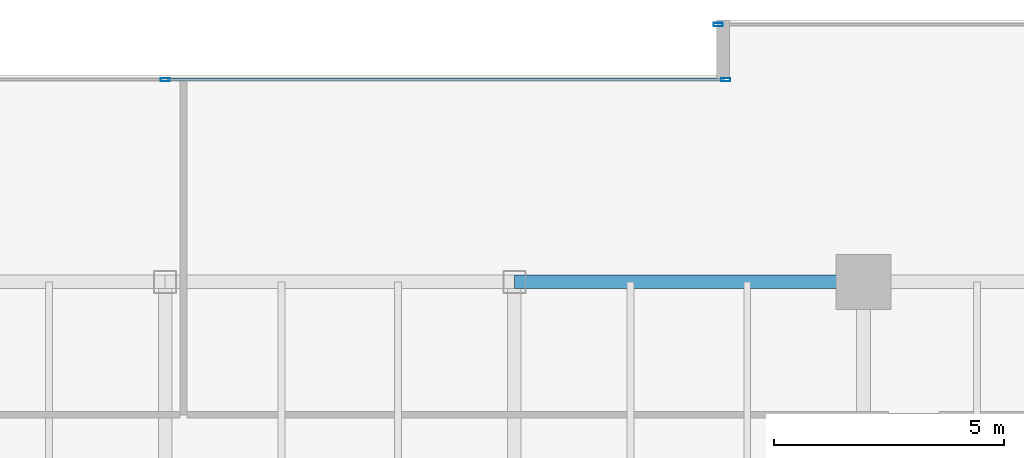
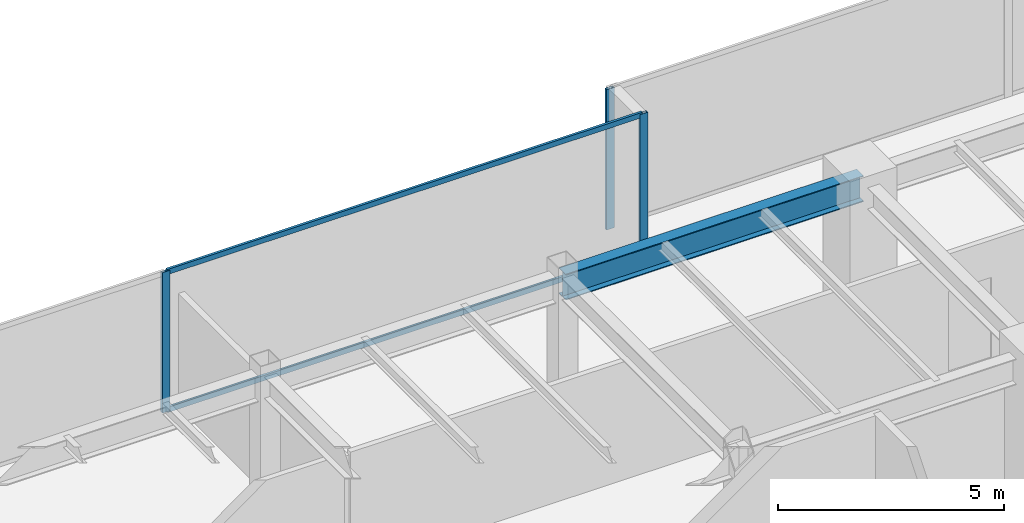
# One storey, part 18 of 30: 5 members, 1 beam, 2 elements without a shape of their own.
"""IFC4 building model written with IfcOpenShell, lengths in metres."""

from ifc_helpers import new_model, si_unit, direction, frame, origin, origin_2d, place, context, subcontext, project, spatial, hollow_rectangle, i_section, extrude, source, transform, mapped, material, layer, layer_set, material_profile, profile_set, type_object, type_shapes, element, aggregate, save


model = new_model("IFC4")

# Units and contexts
model_context = context("Model", 3, precision=1e-05, world=origin(), true_north=direction((0.0, 1.0)))
body_context = subcontext(model_context, "Body", "Model", "MODEL_VIEW")
ifc_project = project(units=[si_unit("LENGTHUNIT", "METRE"), si_unit("AREAUNIT", "SQUARE_METRE"), si_unit("VOLUMEUNIT", "CUBIC_METRE"), si_unit("PLANEANGLEUNIT", "RADIAN"), si_unit("MASSUNIT", "GRAM", prefix="KILO")], contexts=[model_context])

# Site, building, storey
site_placement = place(None, origin())
site = spatial("IfcSite", under=ifc_project, at=site_placement, CompositionType="ELEMENT")
building_placement = place(site_placement, origin())
building = spatial("IfcBuilding", under=site, at=building_placement, Name="Haelvirn Gate Laboratories", CompositionType="ELEMENT")
storey_placement = place(building_placement, frame((0.0, 0.0, 187.10009765625)))
storey = spatial("IfcBuildingStorey", under=building, at=storey_placement, Name="L45", CompositionType="ELEMENT", Elevation=187.10009765625)

# Beam
ifc_material_1 = material(Name="Steel SM355", Category="steel")
ifc_material_profile_1 = material_profile(ifc_material_1, i_section(OverallWidth=0.300048828125, OverallDepth=0.699951171875, WebThickness=0.012939453125, FlangeThickness=0.02392578125, at=origin_2d()), Name="H-700x300x13x24")
ifc_profile_set_1 = profile_set([ifc_material_profile_1], Name="Steel SM355")
beam_type = type_object("IfcBeamType", Name="BM-G-700", PredefinedType="BEAM", material=ifc_profile_set_1)
shared_shape_1 = source(origin(), body_context, "Body", "SweptSolid", [
    extrude(i_section(OverallWidth=0.300048828125, OverallDepth=0.699951171875, WebThickness=0.012939453125, FlangeThickness=0.02392578125, at=origin_2d()), origin(), (0.0, 0.0, 1.0), 7.60009765625),
])
type_shapes(beam_type, [shared_shape_1])
beam_placement = place(storey_placement, frame((45.0, 41.60009765625, 3.43994140625), z_axis=(1.0, 0.0, 0.0), x_axis=(0.0, 1.0, 0.0)))
element("IfcBeam", 1, at=beam_placement, inside=storey, type_object=beam_type, Name="L45 Primary Girder Y41.6 (45.0-52.6)", PredefinedType="BEAM", context=body_context, shape_type="MappedRepresentation", body=[
    mapped(shared_shape_1, transform((0.0, 0.0, 0.0), scale=1.0)),
])

# Curtain wall, members
ifc_material_2 = material(Name="Anodised bronze unitised aluminium & triple low-E glass", Category="aluminium")
ifc_layer = layer(ifc_material_2, 0.179931640625, Name="CW-SYS-3")
ifc_layer_set = layer_set([ifc_layer], Name="Anodised bronze unitised aluminium & triple low-E glass")
curtain_wall_type = type_object("IfcCurtainWallType", Name="CW-SYS-3", PredefinedType="NOTDEFINED", material=ifc_layer_set)
curtain_wall_1_placement = place(storey_placement, origin())
curtain_wall_1 = element("IfcCurtainWall", 2, at=curtain_wall_1_placement, inside=storey, type_object=curtain_wall_type, Name="L45 Unitised Curtain Wall CW-L45-P0-E12-1", PredefinedType="NOTDEFINED")
ifc_material_3 = material(Name="Extruded aluminium 6063-T6 (anodised bronze)", Category="aluminium")
ifc_material_profile_2 = material_profile(ifc_material_3, hollow_rectangle(XDim=0.06494140625, YDim=0.139892578125, WallThickness=0.00390625, at=origin_2d()), Name="CWT-140x65x4")
ifc_profile_set_2 = profile_set([ifc_material_profile_2], Name="Extruded aluminium 6063-T6 (anodised bronze)")
member_type_1 = type_object("IfcMemberType", Name="CWT-T140", PredefinedType="USERDEFINED", material=ifc_profile_set_2)
shared_shape_2 = source(origin(), body_context, "Body", "SweptSolid", [
    extrude(hollow_rectangle(XDim=0.06494140625, YDim=0.139892578125, WallThickness=0.00390625, at=origin_2d()), origin(), (0.0, 0.0, 1.0), 12.12744140625),
])
type_shapes(member_type_1, [shared_shape_2])
member_1_placement = place(storey_placement, frame((37.4375, 46.0, 0.032470703125), z_axis=(1.0, 0.0, 0.0), x_axis=(0.0, 1.0, 0.0)))
member_1 = element("IfcMember", 3, at=member_1_placement, type_object=member_type_1, Name="CW3 transom 2.1", ObjectType="TRANSOM", PredefinedType="USERDEFINED", context=body_context, shape_type="MappedRepresentation", body=[
    mapped(shared_shape_2, transform((0.0, 0.0, 0.0), scale=1.0)),
])
member_2_placement = place(storey_placement, frame((37.4375, 46.0, 3.75732421875), z_axis=(1.0, 0.0, 0.0), x_axis=(0.0, 1.0, 0.0)))
member_2 = element("IfcMember", 4, at=member_2_placement, type_object=member_type_1, Name="CW3 transom 2.2", ObjectType="TRANSOM", PredefinedType="USERDEFINED", context=body_context, shape_type="MappedRepresentation", body=[
    mapped(shared_shape_2, transform((0.0, 0.0, 0.0), scale=1.0)),
])

# Curtain wall, member
curtain_wall_2_placement = place(storey_placement, origin())
curtain_wall_2 = element("IfcCurtainWall", 5, at=curtain_wall_2_placement, inside=storey, type_object=curtain_wall_type, Name="L45 Unitised Curtain Wall CW-L45-P0-E10-1", PredefinedType="NOTDEFINED")
ifc_material_profile_3 = material_profile(ifc_material_3, hollow_rectangle(XDim=0.074951171875, YDim=0.199951171875, WallThickness=0.0048828125, at=origin_2d()), Name="CWM-200x75x5")
ifc_profile_set_3 = profile_set([ifc_material_profile_3], Name="Extruded aluminium 6063-T6 (anodised bronze)")
member_type_2 = type_object("IfcMemberType", Name="CWM-T200", PredefinedType="MULLION", material=ifc_profile_set_3)
shared_shape_3 = source(origin(), body_context, "Body", "SweptSolid", [
    extrude(hollow_rectangle(XDim=0.074951171875, YDim=0.199951171875, WallThickness=0.0048828125, at=origin_2d()), origin(), (0.0, 0.0, 1.0), 3.789794921875),
])
type_shapes(member_type_2, [shared_shape_3])
member_3_placement = place(storey_placement, frame((49.4375, 47.199951171875, 0.0), z_axis=(0.0, 0.0, 1.0), x_axis=(0.0, 1.0, 0.0)))
member_3 = element("IfcMember", 6, at=member_3_placement, type_object=member_type_2, Name="CW3 mullion 1", PredefinedType="MULLION", context=body_context, shape_type="MappedRepresentation", body=[
    mapped(shared_shape_3, transform((0.0, 0.0, 0.0), scale=1.0)),
])
aggregate(curtain_wall_2, [member_3])

# Member
member_4_placement = place(storey_placement, frame((37.39990234375, 46.0, 0.0), z_axis=(0.0, 0.0, 1.0), x_axis=(0.0, 1.0, 0.0)))
member_4 = element("IfcMember", 7, at=member_4_placement, type_object=member_type_2, Name="CW3 mullion 2", PredefinedType="MULLION", context=body_context, shape_type="MappedRepresentation", body=[
    mapped(shared_shape_3, transform((0.0, 0.0, 0.0), scale=1.0)),
])

member_5_placement = place(storey_placement, frame((49.6025390625, 46.0, 0.0), z_axis=(0.0, 0.0, 1.0), x_axis=(0.0, 1.0, 0.0)))
member_5 = element("IfcMember", 8, at=member_5_placement, type_object=member_type_2, Name="CW3 mullion 3", PredefinedType="MULLION", context=body_context, shape_type="MappedRepresentation", body=[
    mapped(shared_shape_3, transform((0.0, 0.0, 0.0), scale=1.0)),
])

aggregate(curtain_wall_1, [member_4, member_5, member_1, member_2])

save(model, "model.ifc")
